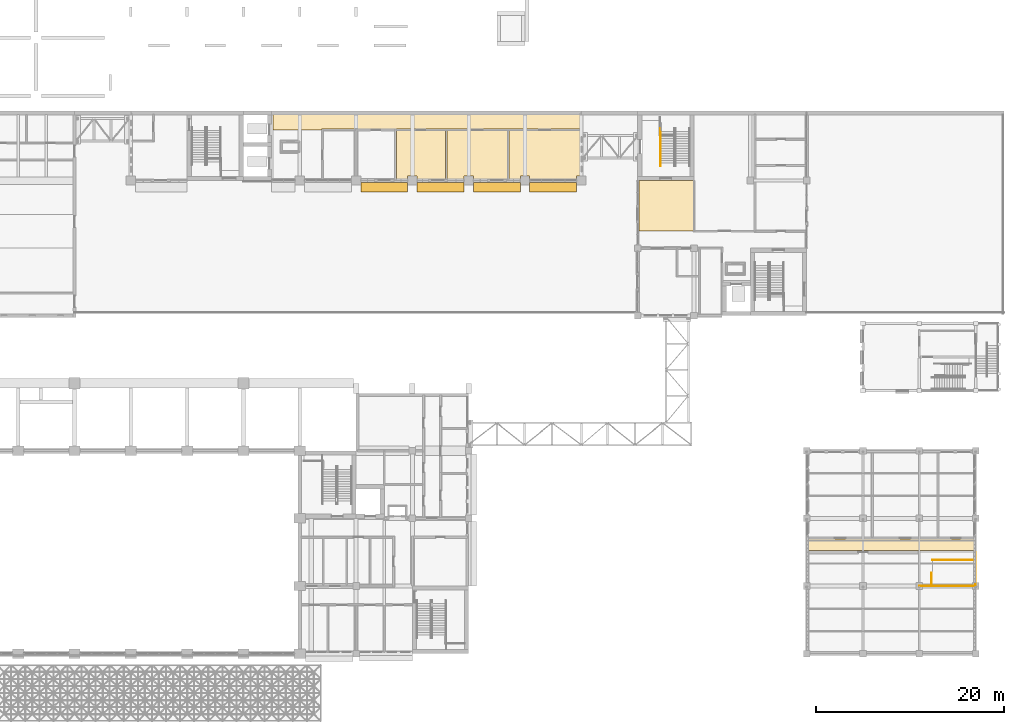
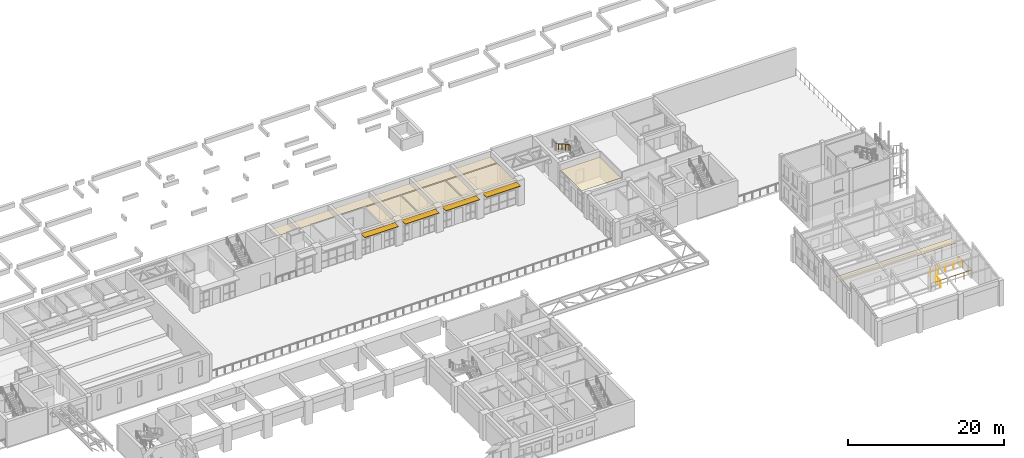
# One storey, part 100 of 103: 6 coverings, 4 railings, 4 shading devices.
"""IFC4 building model written with IfcOpenShell, lengths in metres."""

from ifc_helpers import new_model, si_unit, direction, frame, origin, origin_2d, place, context, subcontext, project, spatial, polyline, rectangle, circle, outline, extrude, material, layer, layer_set, type_object, element, save


model = new_model("IFC4")

# Units and contexts
model_context = context("Model", 3, precision=1e-05, world=origin(), true_north=direction((0.0, 1.0)))
body_context = subcontext(model_context, "Body", "Model", "MODEL_VIEW")
ifc_project = project(units=[si_unit("LENGTHUNIT", "METRE"), si_unit("AREAUNIT", "SQUARE_METRE"), si_unit("VOLUMEUNIT", "CUBIC_METRE"), si_unit("PLANEANGLEUNIT", "RADIAN"), si_unit("MASSUNIT", "GRAM", prefix="KILO")], contexts=[model_context])

# Site, building, storey
site_placement = place(None, origin())
site = spatial("IfcSite", under=ifc_project, at=site_placement, CompositionType="ELEMENT")
building_placement = place(site_placement, origin())
building = spatial("IfcBuilding", under=site, at=building_placement, Name="Laocheng Heights Fire and Rescue Headquarters", CompositionType="ELEMENT")
storey_placement = place(building_placement, frame((0.0, 0.0, 4.199951171875)))
storey = spatial("IfcBuildingStorey", under=building, at=storey_placement, Name="L01", CompositionType="ELEMENT", Elevation=4.199951171875)

# Shading devices
ifc_material_1 = material(Name="Precast concrete C40/50, light warm grey", Category="concrete")
ifc_layer_1 = layer(ifc_material_1, 0.080078125)
ifc_layer_set_1 = layer_set([ifc_layer_1], Name="Precast concrete C40/50, light warm grey")
shading_device_type = type_object("IfcShadingDeviceType", Name="PRECAST BLADE 1000 x 80 BLADE HQ SOUTH", PredefinedType="JALOUSIE", material=ifc_layer_set_1)
for number, where, z_axis, x_axis, name in (
    (1, (63.0, 49.699951171875, 3.510009765625), (0.0, 0.0, 1.0), (1.0, 0.0, 0.0), "BLADE HQ SOUTH L01"),
    (2, (69.0, 49.699951171875, 3.510009765625), (0.0, 0.0, 1.0), (1.0, 0.0, 0.0), "BLADE HQ SOUTH L01"),
    (3, (75.0, 49.699951171875, 3.510009765625), (0.0, 0.0, 1.0), (1.0, 0.0, 0.0), "BLADE HQ SOUTH L01"),
    (4, (81.0, 49.699951171875, 3.510009765625), (0.0, 0.0, 1.0), (1.0, 0.0, 0.0), "BLADE HQ SOUTH L01"),
):
    element("IfcShadingDevice", number, at=place(storey_placement, frame(where, z_axis=z_axis, x_axis=x_axis)), inside=storey, type_object=shading_device_type, Name=name, PredefinedType="JALOUSIE", context=body_context, shape_type="SweptSolid", body=[
        extrude(rectangle(XDim=5.0, YDim=1.0, at=origin_2d()), origin(), (0.0, 0.0, 1.0), 0.080078125),
    ])

# Railings
ifc_material_2 = material(Name="Steel Q355B", Category="steel")
railing_type_1 = type_object("IfcRailingType", Name="STAIR GUARD 1100", PredefinedType="GUARDRAIL", material=ifc_material_2)
railing_1_placement = place(storey_placement, frame((125.97998046875, 9.97998046875, 0.0)))
element("IfcRailing", 5, at=railing_1_placement, inside=storey, type_object=railing_type_1, Name="Stair W3 guard L01 strip edge", PredefinedType="GUARDRAIL", context=body_context, shape_type="SweptSolid", body=[
    extrude(circle(Radius=0.02392578125, at=origin_2d()), frame((0.0, 0.0, 1.076171875), z_axis=(-1.0, 0.0, 0.0), x_axis=(0.0, -1.0, 0.0)), (0.0, 0.0, 1.0), 4.580078125),
    extrude(circle(Radius=0.02099609375, at=origin_2d()), origin(), (0.0, 0.0, 1.0), 1.052001953125),
    extrude(circle(Radius=0.02099609375, at=origin_2d()), frame((-1.14501953125, 0.0, 0.0)), (0.0, 0.0, 1.0), 1.052001953125),
    extrude(circle(Radius=0.02099609375, at=origin_2d()), frame((-2.2900390625, 0.0, 0.0)), (0.0, 0.0, 1.0), 1.052001953125),
    extrude(circle(Radius=0.02099609375, at=origin_2d()), frame((-3.43505859375, 0.0, 0.0)), (0.0, 0.0, 1.0), 1.052001953125),
    extrude(circle(Radius=0.02099609375, at=origin_2d()), frame((-4.580078125, 0.0, 0.0)), (0.0, 0.0, 1.0), 1.052001953125),
])
railing_2_placement = place(storey_placement, frame((120.02001953125, 7.219970703125, 0.0)))
element("IfcRailing", 6, at=railing_2_placement, inside=storey, type_object=railing_type_1, Name="Stair W3 guard L01 opening wall side", PredefinedType="GUARDRAIL", context=body_context, shape_type="SweptSolid", body=[
    extrude(circle(Radius=0.02392578125, at=origin_2d()), frame((0.0, 0.0, 1.076171875), z_axis=(1.0, 0.0, 0.0), x_axis=(0.0, 1.0, 0.0)), (0.0, 0.0, 1.0), 5.9599609375),
    extrude(circle(Radius=0.02392578125, at=origin_2d()), frame((5.9599609375, 0.0, 1.076171875), z_axis=(0.0, 1.0, 0.0), x_axis=(-1.0, 0.0, 0.0)), (0.0, 0.0, 1.0), 3.56005859375),
    extrude(circle(Radius=0.02099609375, at=origin_2d()), origin(), (0.0, 0.0, 1.0), 1.052001953125),
    extrude(circle(Radius=0.02099609375, at=origin_2d()), frame((1.19189453125, 0.0, 0.0)), (0.0, 0.0, 1.0), 1.052001953125),
    extrude(circle(Radius=0.02099609375, at=origin_2d()), frame((2.384033203125, 0.0, 0.0)), (0.0, 0.0, 1.0), 1.052001953125),
    extrude(circle(Radius=0.02099609375, at=origin_2d()), frame((3.575927734375, 0.0, 0.0)), (0.0, 0.0, 1.0), 1.052001953125),
    extrude(circle(Radius=0.02099609375, at=origin_2d()), frame((4.76806640625, 0.0, 0.0)), (0.0, 0.0, 1.0), 1.052001953125),
    extrude(circle(Radius=0.02099609375, at=origin_2d()), frame((5.9599609375, 0.0, 0.0)), (0.0, 0.0, 1.0), 1.052001953125),
    extrude(circle(Radius=0.02099609375, at=origin_2d()), frame((5.9599609375, 1.186767578125, 0.0)), (0.0, 0.0, 1.0), 1.052001953125),
    extrude(circle(Radius=0.02099609375, at=origin_2d()), frame((5.9599609375, 2.373291015625, 0.0)), (0.0, 0.0, 1.0), 1.052001953125),
    extrude(circle(Radius=0.02099609375, at=origin_2d()), frame((5.9599609375, 3.56005859375, 0.0)), (0.0, 0.0, 1.0), 1.052001953125),
])
railing_3_placement = place(storey_placement, frame((121.320068359375, 7.219970703125, 0.0)))
element("IfcRailing", 7, at=railing_3_placement, inside=storey, type_object=railing_type_1, Name="Stair W3 guard L01 flight opening", PredefinedType="GUARDRAIL", context=body_context, shape_type="SweptSolid", body=[
    extrude(circle(Radius=0.02392578125, at=origin_2d()), frame((0.0, 0.0, 1.076171875), z_axis=(0.0, 1.0, 0.0), x_axis=(-1.0, 0.0, 0.0)), (0.0, 0.0, 1.0), 1.380126953125),
    extrude(circle(Radius=0.02099609375, at=origin_2d()), origin(), (0.0, 0.0, 1.0), 1.052001953125),
    extrude(circle(Radius=0.02099609375, at=origin_2d()), frame((0.0, 0.68994140625, 0.0)), (0.0, 0.0, 1.0), 1.052001953125),
    extrude(circle(Radius=0.02099609375, at=origin_2d()), frame((0.0, 1.380126953125, 0.0)), (0.0, 0.0, 1.0), 1.052001953125),
])
ifc_material_3 = material(Name="Steel Q355B", Category="steel")
railing_type_2 = type_object("IfcRailingType", Name="STAIR HANDRAIL 920", PredefinedType="HANDRAIL", material=ifc_material_3)
railing_4_placement = place(storey_placement, frame((92.445068359375, 55.929931640625, 2.10009765625)))
element("IfcRailing", 8, at=railing_4_placement, inside=storey, type_object=railing_type_2, Name="Stair C2 handrail L01 4", PredefinedType="HANDRAIL", context=body_context, shape_type="SweptSolid", body=[
    extrude(circle(Radius=0.02392578125, at=origin_2d()), frame((0.0, 0.0, 0.89599609375), z_axis=(0.0, -0.868544392059, 0.495611379029), x_axis=(1.0, 0.0, 0.0)), (0.0, 0.0, 1.0), 4.23681640625),
    extrude(circle(Radius=0.02392578125, at=origin_2d()), frame((0.0, -3.679931640625, 2.99560546875), z_axis=(0.0, -1.0, 0.0), x_axis=(1.0, 0.0, 0.0)), (0.0, 0.0, 1.0), 0.300048828125),
    extrude(circle(Radius=0.02099609375, at=origin_2d()), origin(), (0.0, 0.0, 1.0), 0.871826171875),
    extrude(circle(Radius=0.02099609375, at=origin_2d()), frame((0.0, -0.919921875, 0.52490234375)), (0.0, 0.0, 1.0), 0.871826171875),
    extrude(circle(Radius=0.02099609375, at=origin_2d()), frame((0.0, -1.83984375, 1.0498046875)), (0.0, 0.0, 1.0), 0.871826171875),
    extrude(circle(Radius=0.02099609375, at=origin_2d()), frame((0.0, -2.760009765625, 1.574951171875)), (0.0, 0.0, 1.0), 0.871826171875),
    extrude(circle(Radius=0.02099609375, at=origin_2d()), frame((0.0, -3.679931640625, 2.099853515625)), (0.0, 0.0, 1.0), 0.871826171875),
    extrude(circle(Radius=0.02099609375, at=origin_2d()), frame((0.0, -3.97998046875, 2.099853515625)), (0.0, 0.0, 1.0), 0.871826171875),
])

# Coverings
ifc_material_4 = material(Name="Mineral fibre ceiling tile")
ifc_layer_2 = layer(ifc_material_4, 0.0400390625)
ifc_layer_set_2 = layer_set([ifc_layer_2], Name="Mineral fibre ceiling tile")
covering_type_1 = type_object("IfcCoveringType", Name="SUSPENDED CEILING MINERAL FIBRE TILE", PredefinedType="CEILING", material=ifc_layer_set_2)
covering_1_placement = place(storey_placement, frame((0.0, 0.0, 3.0)))
element("IfcCovering", 9, at=covering_1_placement, inside=storey, type_object=covering_type_1, Name="Circulation ceiling", PredefinedType="CEILING", context=body_context, shape_type="SweptSolid", body=[
    extrude(outline(polyline([(108.14990234375, 10.97509765625), (108.14990234375, 12.199951171875), (125.85009765625, 12.199951171875), (125.85009765625, 10.97509765625), (108.14990234375, 10.97509765625)])), origin(), (0.0, 0.0, 1.0), 0.0400390625),
])
ifc_material_5 = material(Name="Mineral fibre ceiling tile")
ifc_layer_3 = layer(ifc_material_5, 0.0400390625)
ifc_layer_set_3 = layer_set([ifc_layer_3], Name="Mineral fibre ceiling tile")
covering_type_2 = type_object("IfcCoveringType", Name="SUSPENDED CEILING MINERAL FIBRE TILE CREW WING", PredefinedType="CEILING", material=ifc_layer_set_3)
covering_2_placement = place(storey_placement, frame((0.0, 0.0, 3.0)))
element("IfcCovering", 10, at=covering_2_placement, inside=storey, type_object=covering_type_2, Name="Stair Lobby ceiling", PredefinedType="CEILING", context=body_context, shape_type="SweptSolid", body=[
    extrude(outline(polyline([(95.925048828125, 45.0), (90.14990234375, 45.0), (90.14990234375, 50.39990234375), (95.925048828125, 50.39990234375), (95.925048828125, 45.0)])), origin(), (0.0, 0.0, 1.0), 0.0400390625),
])
ifc_material_6 = material(Name="Mineral fibre ceiling tile")
ifc_layer_4 = layer(ifc_material_6, 0.0400390625)
ifc_layer_set_4 = layer_set([ifc_layer_4], Name="Mineral fibre ceiling tile")
covering_type_3 = type_object("IfcCoveringType", Name="SUSPENDED CEILING MINERAL FIBRE TILE HQ WING", PredefinedType="CEILING", material=ifc_layer_set_4)
covering_3_placement = place(storey_placement, frame((0.0, 0.0, 3.0)))
element("IfcCovering", 11, at=covering_3_placement, inside=storey, type_object=covering_type_3, Name="Circulation ceiling", PredefinedType="CEILING", context=body_context, shape_type="SweptSolid", body=[
    extrude(outline(polyline([(51.125, 57.449951171875), (83.85009765625, 57.449951171875), (83.85009765625, 55.875), (64.300048828125, 55.875), (64.300048828125, 55.89990234375), (64.10009765625, 55.89990234375), (60.10009765625, 55.89990234375), (59.89990234375, 55.89990234375), (59.89990234375, 55.875), (56.47509765625, 55.875), (56.324951171875, 55.875), (56.324951171875, 55.800048828125), (51.125, 55.800048828125), (51.125, 57.449951171875)])), origin(), (0.0, 0.0, 1.0), 0.0400390625),
])
covering_4_placement = place(storey_placement, frame((0.0, 0.0, 3.0)))
element("IfcCovering", 12, at=covering_4_placement, inside=storey, type_object=covering_type_3, Name="Command Training Suite ceiling", PredefinedType="CEILING", context=body_context, shape_type="SweptSolid", body=[
    extrude(outline(polyline([(64.300048828125, 55.72509765625), (69.52490234375, 55.72509765625), (69.52490234375, 50.550048828125), (66.5, 50.550048828125), (66.5, 50.89990234375), (65.5, 50.89990234375), (65.5, 50.550048828125), (64.300048828125, 50.550048828125), (64.300048828125, 55.72509765625)])), origin(), (0.0, 0.0, 1.0), 0.0400390625),
])
covering_5_placement = place(storey_placement, frame((0.0, 0.0, 3.0)))
element("IfcCovering", 13, at=covering_5_placement, inside=storey, type_object=covering_type_3, Name="Training Classroom B ceiling", PredefinedType="CEILING", context=body_context, shape_type="SweptSolid", body=[
    extrude(outline(polyline([(69.675048828125, 55.72509765625), (76.125, 55.72509765625), (76.125, 50.550048828125), (72.5, 50.550048828125), (72.5, 50.89990234375), (71.5, 50.89990234375), (71.5, 50.550048828125), (69.675048828125, 50.550048828125), (69.675048828125, 55.72509765625)])), origin(), (0.0, 0.0, 1.0), 0.0400390625),
])
covering_6_placement = place(storey_placement, frame((0.0, 0.0, 3.0)))
element("IfcCovering", 14, at=covering_6_placement, inside=storey, type_object=covering_type_3, Name="Training Classroom A ceiling", PredefinedType="CEILING", context=body_context, shape_type="SweptSolid", body=[
    extrude(outline(polyline([(76.27490234375, 55.72509765625), (83.85009765625, 55.72509765625), (83.85009765625, 50.89990234375), (83.5, 50.89990234375), (83.5, 50.550048828125), (78.5, 50.550048828125), (78.5, 50.89990234375), (77.5, 50.89990234375), (77.5, 50.550048828125), (76.27490234375, 50.550048828125), (76.27490234375, 55.72509765625)])), origin(), (0.0, 0.0, 1.0), 0.0400390625),
])

save(model, "model.ifc")
